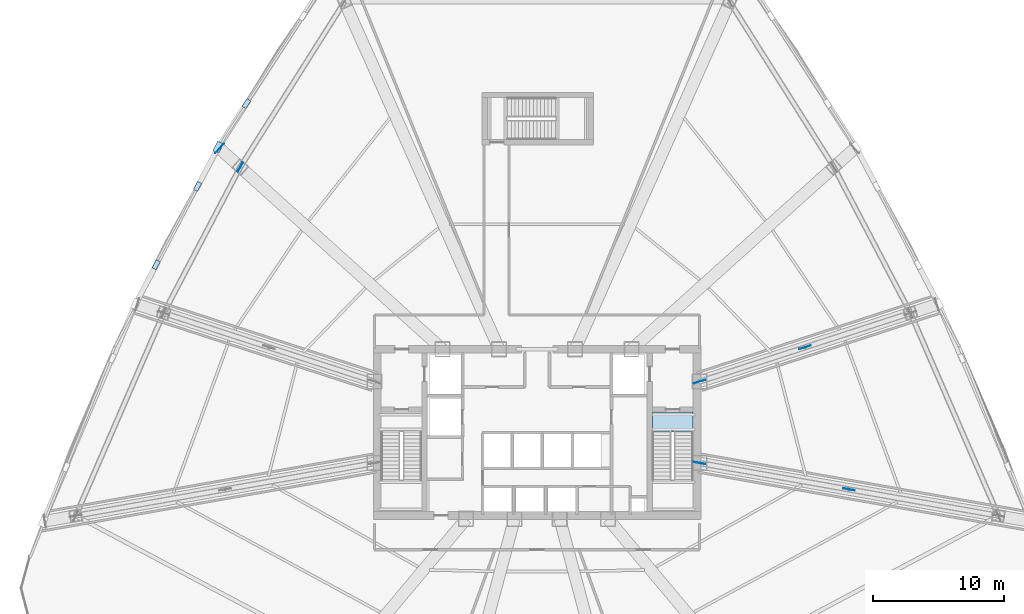
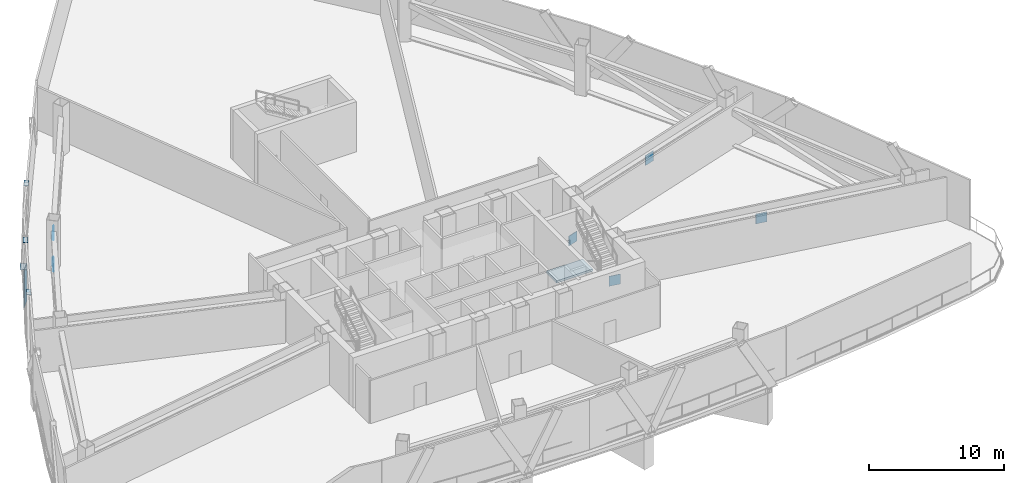
# One storey, part 5 of 17: 11 plates, 1 slab, 1 element without a shape of its own.
"""IFC4 building model written with IfcOpenShell, lengths in metres."""

from ifc_helpers import new_model, si_unit, direction, frame, origin, origin_2d, place, context, subcontext, project, spatial, polyline, rectangle, outline, extrude, source, transform, mapped, material, layer, layer_set, type_object, element, aggregate, save


model = new_model("IFC4")

# Units and contexts
model_context = context("Model", 3, precision=1e-05, world=origin(), true_north=direction((0.0, 1.0)))
body_context = subcontext(model_context, "Body", "Model", "MODEL_VIEW")
ifc_project = project(units=[si_unit("LENGTHUNIT", "METRE"), si_unit("AREAUNIT", "SQUARE_METRE"), si_unit("VOLUMEUNIT", "CUBIC_METRE"), si_unit("PLANEANGLEUNIT", "RADIAN"), si_unit("MASSUNIT", "GRAM", prefix="KILO"), si_unit("THERMODYNAMICTEMPERATUREUNIT", "KELVIN"), si_unit("POWERUNIT", "WATT")], contexts=[model_context])

# Site, building, storey
site_placement = place(None, origin())
site = spatial("IfcSite", under=ifc_project, at=site_placement, CompositionType="ELEMENT")
building_placement = place(site_placement, origin())
building = spatial("IfcBuilding", under=site, at=building_placement, Name="Yunzhuo Pagoda Commons", CompositionType="ELEMENT")
storey_placement = place(building_placement, frame((0.0, 0.0, 176.159912109375)))
storey = spatial("IfcBuildingStorey", under=building, at=storey_placement, Name="L44", CompositionType="ELEMENT", Elevation=176.159912109375)

# Stair, slab
ifc_material_1 = material(Name="Concrete C40", Category="concrete")
stair_type = type_object("IfcStairType", Name="ST-C2 Core Smokeproof Stair ST2", PredefinedType="HALF_TURN_STAIR", material=ifc_material_1)
stair_placement = place(storey_placement, origin())
stair = element("IfcStair", 1, at=stair_placement, inside=storey, type_object=stair_type, Name="L44 Core smokeproof stair ST2", PredefinedType="HALF_TURN_STAIR")
ifc_layer_1 = layer(ifc_material_1, 0.201904296875)
ifc_layer_set_1 = layer_set([ifc_layer_1], Name="Concrete C40")
slab_type = type_object("IfcSlabType", Name="SL-LND2 Stair Landing Slab 202", PredefinedType="LANDING", material=ifc_layer_set_1)
slab_placement = place(storey_placement, frame((0.0, 0.0, -0.199951171875)))
slab = element("IfcSlab", 2, at=slab_placement, type_object=slab_type, Name="ST2 floor landing L44", PredefinedType="LANDING", context=body_context, shape_type="SweptSolid", body=[
    extrude(outline(polyline([(56.800048828125, 35.39990234375), (56.800048828125, 33.89990234375), (59.89990234375, 33.89990234375), (59.89990234375, 35.39990234375), (56.800048828125, 35.39990234375)])), origin(), (0.0, 0.0, 1.0), 0.199951171875),
])
aggregate(stair, [slab])

# Plates
ifc_material_2 = material(Name="Structural steel Q420B", Category="steel")
ifc_layer_2 = layer(ifc_material_2, 0.0400390625)
ifc_layer_set_2 = layer_set([ifc_layer_2], Name="Structural steel Q420B")
plate_type_1 = type_object("IfcPlateType", Name="EP-TR2 Transfer Girder End Cap Plate 980x3540x40", PredefinedType="USERDEFINED", material=ifc_layer_set_2)
shared_shape_1 = source(origin(), body_context, "Body", "SweptSolid", [
    extrude(rectangle(XDim=0.97998046875, YDim=0.0400390625, at=origin_2d()), origin(), (0.0, 0.0, 1.0), 3.389892578125),
])
plate_1_placement = place(storey_placement, frame((23.766357421875, 55.52001953125, -3.64990234375), z_axis=(0.0, 0.0, 1.0), x_axis=(-0.669130606359, -0.743144825477, 0.0)))
element("IfcPlate", 3, at=plate_1_placement, inside=storey, type_object=plate_type_1, Name="L44 transfer girder end cap plate F3C2", ObjectType="END_PLATE", PredefinedType="USERDEFINED", context=body_context, shape_type="MappedRepresentation", body=[
    mapped(shared_shape_1, transform((0.0, 0.0, 0.0), scale=1.0)),
])
ifc_layer_3 = layer(ifc_material_2, 0.0400390625)
ifc_layer_set_3 = layer_set([ifc_layer_3], Name="Structural steel Q420B")
plate_type_2 = type_object("IfcPlateType", Name="GP-OT1 Outrigger Gusset Plate 900x500x900", PredefinedType="USERDEFINED", material=ifc_layer_set_3)
shared_shape_2 = source(origin(), body_context, "Body", "SweptSolid", [
    extrude(rectangle(XDim=0.89990234375, YDim=0.0400390625, at=origin_2d()), origin(), (0.0, 0.0, 1.0), 0.89990234375),
])
for number, where, z_axis, x_axis, name in (
    (4, (71.80322265625, 29.5029296875, 2.690185546875), (0.0, 0.0, 1.0), (0.984807753012, -0.173648177667, 0.0), "L44 outrigger apex gusset plate F2C1"),
    (5, (60.39990234375, 31.513427734375, -0.179931640625), (0.0, 0.0, 1.0), (0.984807753012, -0.173648177667, 0.0), "L44 outrigger core gusset plate F2C1"),
    (6, (68.447509765625, 40.34375, 2.690185546875), (0.0, 0.0, 1.0), (0.951056516295, 0.309016994375, 0.0), "L44 outrigger apex gusset plate F2C2"),
    (7, (60.39990234375, 37.72900390625, -0.179931640625), (0.0, 0.0, 1.0), (0.951056516295, 0.309016994375, 0.0), "L44 outrigger core gusset plate F2C2"),
):
    element("IfcPlate", number, at=place(storey_placement, frame(where, z_axis=z_axis, x_axis=x_axis)), inside=storey, type_object=plate_type_2, Name=name, ObjectType="GUSSET_PLATE", PredefinedType="USERDEFINED", context=body_context, shape_type="MappedRepresentation", body=[
        mapped(shared_shape_2, transform((0.0, 0.0, 0.0), scale=1.0)),
    ])
ifc_material_3 = material(Name="Structural steel Q355B", Category="steel")
ifc_layer_4 = layer(ifc_material_3, 0.028076171875)
ifc_layer_set_4 = layer_set([ifc_layer_4], Name="Structural steel Q355B")
plate_type_3 = type_object("IfcPlateType", Name="SP-ND1 Lattice Node Cap Plate 800x500x28", PredefinedType="USERDEFINED", material=ifc_layer_set_4)
shared_shape_3 = source(origin(), body_context, "Body", "SweptSolid", [
    extrude(rectangle(XDim=0.800048828125, YDim=0.0400390625, at=origin_2d()), origin(), (0.0, 0.0, 1.0), 0.800048828125),
])
for number, where, z_axis, x_axis, name in (
    (8, (25.349365234375, 54.0947265625, 2.740234375), (0.0, 0.0, 1.0), (-0.53309779066, -0.846053630448, 0.0), "L44 belt truss upper gusset plate 9"),
    (9, (25.349365234375, 54.0947265625, -0.1298828125), (0.0, 0.0, 1.0), (-0.464672053786, -0.885482852703, 0.0), "L44 belt truss lower gusset plate 10"),
):
    element("IfcPlate", number, at=place(storey_placement, frame(where, z_axis=z_axis, x_axis=x_axis)), inside=storey, type_object=plate_type_3, Name=name, ObjectType="STIFFENER_PLATE", PredefinedType="USERDEFINED", context=body_context, shape_type="MappedRepresentation", body=[
        mapped(shared_shape_3, transform((0.0, 0.0, 0.0), scale=1.0)),
    ])
shared_shape_4 = source(origin(), body_context, "Body", "SweptSolid", [
    extrude(rectangle(XDim=0.800048828125, YDim=0.5, at=origin_2d()), origin(), (0.0, 0.0, 1.0), 0.028076171875),
])
plate_2_placement = place(storey_placement, frame((23.66455078125, 55.61181640625, -0.2939453125), z_axis=(0.0, 0.0, 1.0), x_axis=(-0.46678800242, -0.884369244601, 0.0)))
element("IfcPlate", 10, at=plate_2_placement, inside=storey, type_object=plate_type_3, Name="L44 diamond node plate F3.2A", ObjectType="STIFFENER_PLATE", PredefinedType="USERDEFINED", context=body_context, shape_type="MappedRepresentation", body=[
    mapped(shared_shape_4, transform((0.0, 0.0, 0.0), scale=1.0)),
])
shared_shape_5 = source(origin(), body_context, "Body", "SweptSolid", [
    extrude(rectangle(XDim=0.699951171875, YDim=0.35009765625, at=origin_2d()), origin(), (0.0, 0.0, 1.0), 0.035888671875),
])
for number, where, z_axis, x_axis, name in (
    (11, (25.823486328125, 58.94921875, 4.501953125), (0.0, 0.0, 1.0), (-0.543159795737, -0.839629344589, 0.0), "L44 setback lattice tie plate F3.1R"),
    (12, (22.087158203125, 52.623046875, 4.501953125), (0.0, 0.0, 1.0), (-0.46678800242, -0.884369244601, 0.0), "L44 setback lattice tie plate F3.2L"),
    (13, (18.932373046875, 46.645751953125, 4.501953125), (0.0, 0.0, 1.0), (-0.46678800242, -0.884369244601, 0.0), "L44 setback lattice tie plate F3.2R"),
):
    element("IfcPlate", number, at=place(storey_placement, frame(where, z_axis=z_axis, x_axis=x_axis)), inside=storey, type_object=plate_type_3, Name=name, ObjectType="STIFFENER_PLATE", PredefinedType="USERDEFINED", context=body_context, shape_type="MappedRepresentation", body=[
        mapped(shared_shape_5, transform((0.0, 0.0, 0.0), scale=1.0)),
    ])

save(model, "model.ifc")
